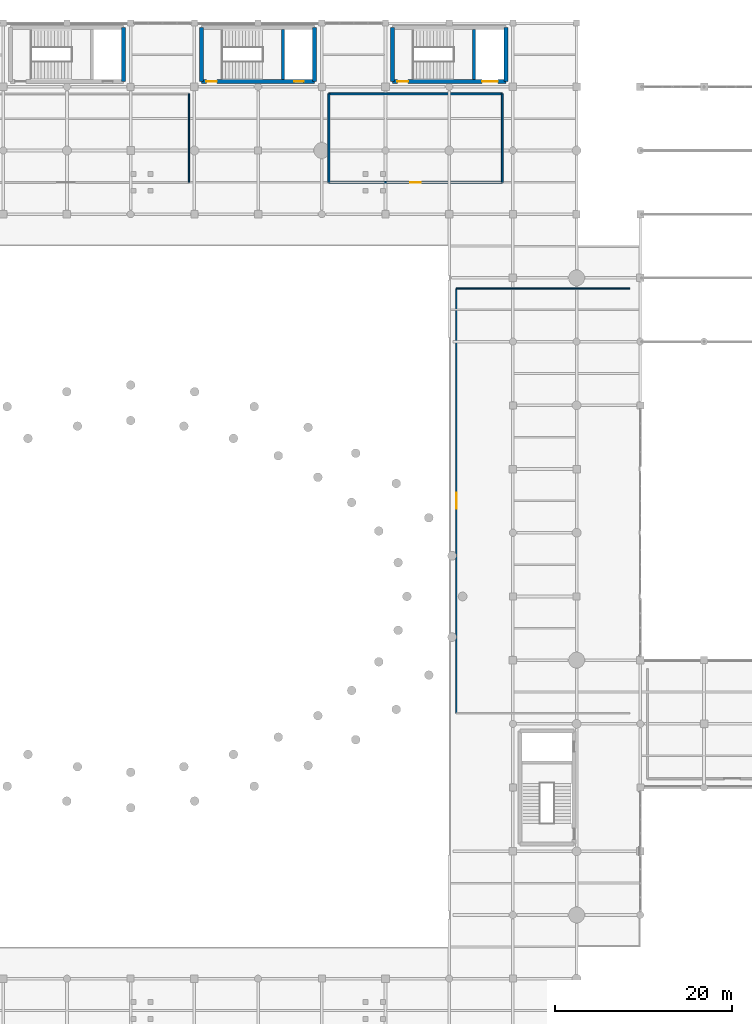
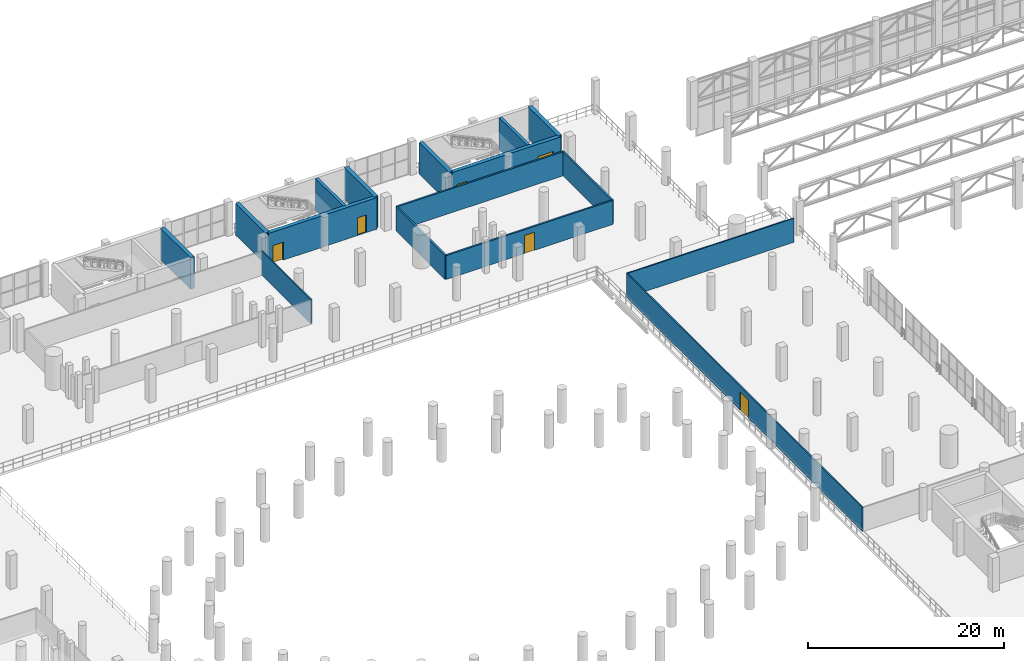
# One storey, part 136 of 153: 16 walls, 6 doors, 6 openings.
"""IFC4 building model written with IfcOpenShell, lengths in metres."""

from ifc_helpers import new_model, si_unit, direction, frame, frame_2d, origin, place, context, subcontext, project, spatial, rectangle, extrude, material, layer, layer_set, type_object, element, fill, save


model = new_model("IFC4")

# Units and contexts
model_context = context("Model", 3, precision=1e-05, world=origin(), true_north=direction((0.0, 1.0)))
body_context = subcontext(model_context, "Body", "Model", "MODEL_VIEW")
ifc_project = project(units=[si_unit("LENGTHUNIT", "METRE"), si_unit("AREAUNIT", "SQUARE_METRE"), si_unit("VOLUMEUNIT", "CUBIC_METRE"), si_unit("PLANEANGLEUNIT", "RADIAN"), si_unit("MASSUNIT", "GRAM", prefix="KILO")], contexts=[model_context])

# Site, building, storey
site_placement = place(None, origin())
site = spatial("IfcSite", under=ifc_project, at=site_placement, CompositionType="ELEMENT")
building_placement = place(site_placement, origin())
building = spatial("IfcBuilding", under=site, at=building_placement, Name="Qandorah Velis Arena", CompositionType="ELEMENT")
storey_placement = place(building_placement, frame((0.0, 0.0, 5.39990234375)))
storey = spatial("IfcBuildingStorey", under=building, at=storey_placement, Name="L01", CompositionType="ELEMENT", Elevation=5.39990234375)

# Wall, opening, door
ifc_material_1 = material(Name="Concrete C35/45", Category="concrete")
ifc_layer_1 = layer(ifc_material_1, 0.199951171875)
ifc_layer_set_1 = layer_set([ifc_layer_1], Name="Concrete C35/45")
wall_type_1 = type_object("IfcWallType", Name="ARC-WAL-FD60-200", PredefinedType="PARTITIONING", material=ifc_layer_set_1)
wall_1_placement = place(storey_placement, frame((87.199951171875, 111.60009765625, 0.0), z_axis=(0.0, 0.0, 1.0), x_axis=(1.0, 0.0, 0.0)))
wall_1 = element("IfcWall", 1, at=wall_1_placement, inside=storey, type_object=wall_type_1, Name="Interior partition L01-OPS-SEC (S)", PredefinedType="PARTITIONING", context=body_context, shape_type="SweptSolid", body=[
    extrude(rectangle(XDim=19.60009765625, YDim=0.199951171875, at=frame_2d((9.800048828125, 0.0))), origin(), (0.0, 0.0, 1.0), 2.97998046875),
])
opening_1_placement = place(wall_1_placement, frame((9.199951171875, 0.0, 0.0)))
opening_1 = element("IfcOpeningElement", 2, at=opening_1_placement, cuts=wall_1, Name="Opening FD2", PredefinedType="OPENING", context=body_context, shape_type="SweptSolid", body=[
    extrude(rectangle(XDim=1.199951171875, YDim=2.25, at=frame_2d((0.60009765625, 1.125))), frame((0.0, 0.10986328125, 0.0), z_axis=(0.0, -1.0, 0.0), x_axis=(1.0, 0.0, 0.0)), (0.0, 0.0, 1.0), 0.219970703125),
])
ifc_material_2 = material(Name="Insulated fire-rated single steel door", Category="steel")
door_type_1 = type_object("IfcDoorType", Name="ARC-DR-FD1200", OperationType="NOTDEFINED", PredefinedType="DOOR", material=ifc_material_2)
door_1_placement = place(opening_1_placement, frame((1.199951171875, 0.0, 0.0), z_axis=(0.0, 0.0, 1.0), x_axis=(-1.0, 0.0, 0.0)))
door_1 = element("IfcDoor", 3, at=door_1_placement, inside=storey, type_object=door_type_1, Name="Door L01-OPS-SEC", OperationType="SINGLE_SWING_RIGHT", OverallHeight=2.25, OverallWidth=1.199951171875, PredefinedType="DOOR", context=body_context, shape_type="SweptSolid", body=[
    extrude(rectangle(XDim=1.199951171875, YDim=2.25, at=frame_2d((0.60009765625, 1.125))), frame((0.0, 0.02490234375, 0.0), z_axis=(0.0, -1.0, 0.0), x_axis=(1.0, 0.0, 0.0)), (0.0, 0.0, 1.0), 0.050048828125),
])
fill(opening_1, door_1)

# Walls
wall_2_placement = place(storey_placement, frame((106.800048828125, 111.60009765625, 0.0), z_axis=(0.0, 0.0, 1.0), x_axis=(0.0, 1.0, 0.0)))
element("IfcWall", 4, at=wall_2_placement, inside=storey, type_object=wall_type_1, Name="Interior partition L01-OPS-SEC (E)", PredefinedType="PARTITIONING", context=body_context, shape_type="SweptSolid", body=[
    extrude(rectangle(XDim=10.0, YDim=0.199951171875, at=frame_2d((5.0, 0.0))), origin(), (0.0, 0.0, 1.0), 2.97998046875),
])
wall_3_placement = place(storey_placement, frame((106.800048828125, 121.60009765625, 0.0), z_axis=(0.0, 0.0, 1.0), x_axis=(-1.0, 0.0, 0.0)))
element("IfcWall", 5, at=wall_3_placement, inside=storey, type_object=wall_type_1, Name="Interior partition L01-OPS-SEC (N)", PredefinedType="PARTITIONING", context=body_context, shape_type="SweptSolid", body=[
    extrude(rectangle(XDim=19.60009765625, YDim=0.199951171875, at=frame_2d((9.800048828125, 0.0))), origin(), (0.0, 0.0, 1.0), 2.97998046875),
])
wall_4_placement = place(storey_placement, frame((87.199951171875, 121.60009765625, 0.0), z_axis=(0.0, 0.0, 1.0), x_axis=(0.0, -1.0, 0.0)))
element("IfcWall", 6, at=wall_4_placement, inside=storey, type_object=wall_type_1, Name="Interior partition L01-OPS-SEC (W)", PredefinedType="PARTITIONING", context=body_context, shape_type="SweptSolid", body=[
    extrude(rectangle(XDim=10.0, YDim=0.199951171875, at=frame_2d((5.0, 0.0))), origin(), (0.0, 0.0, 1.0), 2.97998046875),
])
ifc_layer_2 = layer(ifc_material_1, 0.14990234375)
ifc_layer_set_2 = layer_set([ifc_layer_2], Name="Concrete C35/45")
wall_type_2 = type_object("IfcWallType", Name="ARC-WAL-PART150", PredefinedType="PARTITIONING", material=ifc_layer_set_2)
wall_5_placement = place(storey_placement, frame((71.39990234375, 111.60009765625, 0.0), z_axis=(0.0, 0.0, 1.0), x_axis=(0.0, 1.0, 0.0)))
element("IfcWall", 7, at=wall_5_placement, inside=storey, type_object=wall_type_2, Name="Interior partition L01-CLB-N (E)", PredefinedType="PARTITIONING", context=body_context, shape_type="SweptSolid", body=[
    extrude(rectangle(XDim=10.0, YDim=0.14990234375, at=frame_2d((5.0, 0.0))), origin(), (0.0, 0.0, 1.0), 2.97998046875),
])
wall_6_placement = place(storey_placement, frame((121.199951171875, 99.60009765625, 0.0), z_axis=(0.0, 0.0, 1.0), x_axis=(-1.0, 0.0, 0.0)))
element("IfcWall", 8, at=wall_6_placement, inside=storey, type_object=wall_type_2, Name="Interior partition L01-CLB-SE (N)", PredefinedType="PARTITIONING", context=body_context, shape_type="SweptSolid", body=[
    extrude(rectangle(XDim=19.599853515625, YDim=0.14990234375, at=frame_2d((9.7998046875, 0.0))), origin(), (0.0, 0.0, 1.0), 2.97998046875),
])

# Wall, opening, door
wall_7_placement = place(storey_placement, frame((101.60009765625, 99.60009765625, 0.0), z_axis=(0.0, 0.0, 1.0), x_axis=(0.0, -1.0, 0.0)))
wall_7 = element("IfcWall", 9, at=wall_7_placement, inside=storey, type_object=wall_type_2, Name="Interior partition L01-CLB-SE (W)", PredefinedType="PARTITIONING", context=body_context, shape_type="SweptSolid", body=[
    extrude(rectangle(XDim=48.0, YDim=0.14990234375, at=frame_2d((24.0, 0.0))), origin(), (0.0, 0.0, 1.0), 2.97998046875),
])
opening_2_placement = place(wall_7_placement, frame((23.10009765625, 0.0, 0.0)))
opening_2 = element("IfcOpeningElement", 10, at=opening_2_placement, cuts=wall_7, Name="Opening D3", PredefinedType="OPENING", context=body_context, shape_type="SweptSolid", body=[
    extrude(rectangle(XDim=1.800048828125, YDim=2.300048828125, at=frame_2d((0.89990234375, 1.14990234375))), frame((0.0, 0.0849609375, 0.0), z_axis=(0.0, -1.0, 0.0), x_axis=(1.0, 0.0, 0.0)), (0.0, 0.0, 1.0), 0.169921875),
])
ifc_material_3 = material(Name="Double-leaf acoustic timber door", Category="wood")
door_type_2 = type_object("IfcDoorType", Name="ARC-DR-DBL1800", OperationType="NOTDEFINED", PredefinedType="DOOR", material=ifc_material_3)
door_2_placement = place(opening_2_placement, origin())
door_2 = element("IfcDoor", 11, at=door_2_placement, inside=storey, type_object=door_type_2, Name="Door L01-CLB-SE", OperationType="DOUBLE_DOOR_SINGLE_SWING", OverallHeight=2.300048828125, OverallWidth=1.800048828125, PredefinedType="DOOR", context=body_context, shape_type="SweptSolid", body=[
    extrude(rectangle(XDim=1.800048828125, YDim=2.300048828125, at=frame_2d((0.89990234375, 1.14990234375))), frame((0.0, 0.02490234375, 0.0), z_axis=(0.0, -1.0, 0.0), x_axis=(1.0, 0.0, 0.0)), (0.0, 0.0, 1.0), 0.050048828125),
])
fill(opening_2, door_2)

# Wall, openings, doors
ifc_material_4 = material(Name="Concrete C40/50", Category="concrete")
ifc_layer_3 = layer(ifc_material_4, 0.449951171875)
ifc_layer_set_3 = layer_set([ifc_layer_3], Name="Concrete C40/50")
wall_type_3 = type_object("IfcWallType", Name="STR-WAL-CORE450", PredefinedType="SHEAR", material=ifc_layer_set_3)
wall_8_placement = place(storey_placement, frame((72.800048828125, 123.0, 0.0), z_axis=(0.0, 0.0, 1.0), x_axis=(1.0, 0.0, 0.0)))
wall_8 = element("IfcWall", 12, at=wall_8_placement, inside=storey, type_object=wall_type_3, Name="Core CORE-04 shear wall S (L01)", PredefinedType="SHEAR", context=body_context, shape_type="SweptSolid", body=[
    extrude(rectangle(XDim=12.800048828125, YDim=0.449951171875, at=frame_2d((6.39990234375, 0.0))), origin(), (0.0, 0.0, 1.0), 3.920166015625),
])
opening_3_placement = place(wall_8_placement, frame((0.550048828125, 0.0, 0.0)))
opening_3 = element("IfcOpeningElement", 13, at=opening_3_placement, cuts=wall_8, Name="Opening SD1", PredefinedType="OPENING", context=body_context, shape_type="SweptSolid", body=[
    extrude(rectangle(XDim=1.199951171875, YDim=2.25, at=frame_2d((0.60009765625, 1.125))), frame((0.0, 0.23486328125, 0.0), z_axis=(0.0, -1.0, 0.0), x_axis=(1.0, 0.0, 0.0)), (0.0, 0.0, 1.0), 0.469970703125),
])
opening_4_placement = place(wall_8_placement, frame((10.4580078125, 0.0, 0.0)))
opening_4 = element("IfcOpeningElement", 14, at=opening_4_placement, cuts=wall_8, Name="Opening LD1", PredefinedType="OPENING", context=body_context, shape_type="SweptSolid", body=[
    extrude(rectangle(XDim=1.10009765625, YDim=2.199951171875, at=frame_2d((0.550048828125, 1.10009765625))), frame((0.0, 0.23486328125, 0.0), z_axis=(0.0, -1.0, 0.0), x_axis=(1.0, 0.0, 0.0)), (0.0, 0.0, 1.0), 0.469970703125),
])
ifc_material_5 = material(Name="Stainless steel sliding lift landing door", Category="steel")
door_type_3 = type_object("IfcDoorType", Name="ARC-DR-LD1100", OperationType="NOTDEFINED", PredefinedType="DOOR", material=ifc_material_5)
door_3_placement = place(opening_4_placement, origin())
door_3 = element("IfcDoor", 15, at=door_3_placement, inside=storey, type_object=door_type_3, Name="Lift PL2 sliding landing door (L01)", OperationType="SLIDING_TO_LEFT", OverallHeight=2.199951171875, OverallWidth=1.10009765625, PredefinedType="DOOR", context=body_context, shape_type="SweptSolid", body=[
    extrude(rectangle(XDim=1.10009765625, YDim=2.199951171875, at=frame_2d((0.550048828125, 1.10009765625))), frame((0.0, 0.02490234375, 0.0), z_axis=(0.0, -1.0, 0.0), x_axis=(1.0, 0.0, 0.0)), (0.0, 0.0, 1.0), 0.050048828125),
])
fill(opening_4, door_3)
ifc_material_6 = material(Name="Self-closing fire-rated stair steel door", Category="steel")
door_type_4 = type_object("IfcDoorType", Name="ARC-DR-ST1200", OperationType="NOTDEFINED", PredefinedType="DOOR", material=ifc_material_6)
door_4_placement = place(opening_3_placement, origin())
door_4 = element("IfcDoor", 16, at=door_4_placement, inside=storey, type_object=door_type_4, Name="Stair ST4 fire door (L01)", OperationType="SINGLE_SWING_LEFT", OverallHeight=2.25, OverallWidth=1.199951171875, PredefinedType="DOOR", context=body_context, shape_type="SweptSolid", body=[
    extrude(rectangle(XDim=1.199951171875, YDim=2.25, at=frame_2d((0.60009765625, 1.125))), frame((0.0, 0.02490234375, 0.0), z_axis=(0.0, -1.0, 0.0), x_axis=(1.0, 0.0, 0.0)), (0.0, 0.0, 1.0), 0.050048828125),
])
fill(opening_3, door_4)

# Walls
for number, where, z_axis, x_axis, name in (
    (17, (72.800048828125, 123.0, 0.0), (0.0, 0.0, 1.0), (0.0, 1.0, 0.0), "Core CORE-04 shear wall W (L01)"),
    (18, (85.60009765625, 123.0, 0.0), (0.0, 0.0, 1.0), (0.0, 1.0, 0.0), "Core CORE-04 shear wall E (L01)"),
    (19, (64.0, 123.0, 0.0), (0.0, 0.0, 1.0), (0.0, 1.0, 0.0), "Core CORE-10 shear wall E (L01)"),
):
    element("IfcWall", number, at=place(storey_placement, frame(where, z_axis=z_axis, x_axis=x_axis)), inside=storey, type_object=wall_type_3, Name=name, PredefinedType="SHEAR", context=body_context, shape_type="SweptSolid", body=[
        extrude(rectangle(XDim=6.10009765625, YDim=0.449951171875, at=frame_2d((3.050048828125, 0.0))), origin(), (0.0, 0.0, 1.0), 3.920166015625),
    ])

# Wall, openings, doors
wall_9_placement = place(storey_placement, frame((94.39990234375, 123.0, 0.0), z_axis=(0.0, 0.0, 1.0), x_axis=(1.0, 0.0, 0.0)))
wall_9 = element("IfcWall", 20, at=wall_9_placement, inside=storey, type_object=wall_type_3, Name="Core CORE-12 shear wall S (L01)", PredefinedType="SHEAR", context=body_context, shape_type="SweptSolid", body=[
    extrude(rectangle(XDim=12.800048828125, YDim=0.449951171875, at=frame_2d((6.39990234375, 0.0))), origin(), (0.0, 0.0, 1.0), 3.920166015625),
])
opening_5_placement = place(wall_9_placement, frame((0.550048828125, 0.0, 0.0)))
opening_5 = element("IfcOpeningElement", 21, at=opening_5_placement, cuts=wall_9, Name="Opening SD1", PredefinedType="OPENING", context=body_context, shape_type="SweptSolid", body=[
    extrude(rectangle(XDim=1.199951171875, YDim=2.25, at=frame_2d((0.60009765625, 1.125))), frame((0.0, 0.23486328125, 0.0), z_axis=(0.0, -1.0, 0.0), x_axis=(1.0, 0.0, 0.0)), (0.0, 0.0, 1.0), 0.469970703125),
])
opening_6_placement = place(wall_9_placement, frame((10.10791015625, 0.0, 0.0)))
opening_6 = element("IfcOpeningElement", 22, at=opening_6_placement, cuts=wall_9, Name="Opening LD3", PredefinedType="OPENING", context=body_context, shape_type="SweptSolid", body=[
    extrude(rectangle(XDim=1.800048828125, YDim=2.39990234375, at=frame_2d((0.89990234375, 1.199951171875))), frame((0.0, 0.23486328125, 0.0), z_axis=(0.0, -1.0, 0.0), x_axis=(1.0, 0.0, 0.0)), (0.0, 0.0, 1.0), 0.469970703125),
])
ifc_material_7 = material(Name="Goods stainless bi-parting lift landing door", Category="steel")
door_type_5 = type_object("IfcDoorType", Name="ARC-DR-LD1800", OperationType="NOTDEFINED", PredefinedType="DOOR", material=ifc_material_7)
door_5_placement = place(opening_6_placement, origin())
door_5 = element("IfcDoor", 23, at=door_5_placement, inside=storey, type_object=door_type_5, Name="Lift GL2 sliding landing door (L01)", OperationType="SLIDING_TO_RIGHT", OverallHeight=2.39990234375, OverallWidth=1.800048828125, PredefinedType="DOOR", context=body_context, shape_type="SweptSolid", body=[
    extrude(rectangle(XDim=1.800048828125, YDim=2.39990234375, at=frame_2d((0.89990234375, 1.199951171875))), frame((0.0, 0.02490234375, 0.0), z_axis=(0.0, -1.0, 0.0), x_axis=(1.0, 0.0, 0.0)), (0.0, 0.0, 1.0), 0.050048828125),
])
fill(opening_6, door_5)
door_6_placement = place(opening_5_placement, origin())
door_6 = element("IfcDoor", 24, at=door_6_placement, inside=storey, type_object=door_type_4, Name="Stair ST12 fire door (L01)", OperationType="SINGLE_SWING_LEFT", OverallHeight=2.25, OverallWidth=1.199951171875, PredefinedType="DOOR", context=body_context, shape_type="SweptSolid", body=[
    extrude(rectangle(XDim=1.199951171875, YDim=2.25, at=frame_2d((0.60009765625, 1.125))), frame((0.0, 0.02490234375, 0.0), z_axis=(0.0, -1.0, 0.0), x_axis=(1.0, 0.0, 0.0)), (0.0, 0.0, 1.0), 0.050048828125),
])
fill(opening_5, door_6)

# Walls
for number, where, z_axis, x_axis, name in (
    (25, (94.39990234375, 123.0, 0.0), (0.0, 0.0, 1.0), (0.0, 1.0, 0.0), "Core CORE-12 shear wall W (L01)"),
    (26, (107.199951171875, 123.0, 0.0), (0.0, 0.0, 1.0), (0.0, 1.0, 0.0), "Core CORE-12 shear wall E (L01)"),
):
    element("IfcWall", number, at=place(storey_placement, frame(where, z_axis=z_axis, x_axis=x_axis)), inside=storey, type_object=wall_type_3, Name=name, PredefinedType="SHEAR", context=body_context, shape_type="SweptSolid", body=[
        extrude(rectangle(XDim=6.10009765625, YDim=0.449951171875, at=frame_2d((3.050048828125, 0.0))), origin(), (0.0, 0.0, 1.0), 3.920166015625),
    ])
ifc_layer_4 = layer(ifc_material_4, 0.35009765625)
ifc_layer_set_4 = layer_set([ifc_layer_4], Name="Concrete C40/50")
wall_type_4 = type_object("IfcWallType", Name="STR-WAL-SH350", PredefinedType="SHEAR", material=ifc_layer_set_4)
for number, where, z_axis, x_axis, name in (
    (27, (82.01611328125, 123.22509765625, 0.0), (0.0, 0.0, 1.0), (0.0, 1.0, 0.0), "Core CORE-04 shaft divider shear wall (L01)"),
    (28, (103.615966796875, 123.22509765625, 0.0), (0.0, 0.0, 1.0), (0.0, 1.0, 0.0), "Core CORE-12 shaft divider shear wall (L01)"),
):
    element("IfcWall", number, at=place(storey_placement, frame(where, z_axis=z_axis, x_axis=x_axis)), inside=storey, type_object=wall_type_4, Name=name, PredefinedType="SHEAR", context=body_context, shape_type="SweptSolid", body=[
        extrude(rectangle(XDim=5.64990234375, YDim=0.35009765625, at=frame_2d((2.824951171875, 0.0))), origin(), (0.0, 0.0, 1.0), 3.920166015625),
    ])

save(model, "model.ifc")
